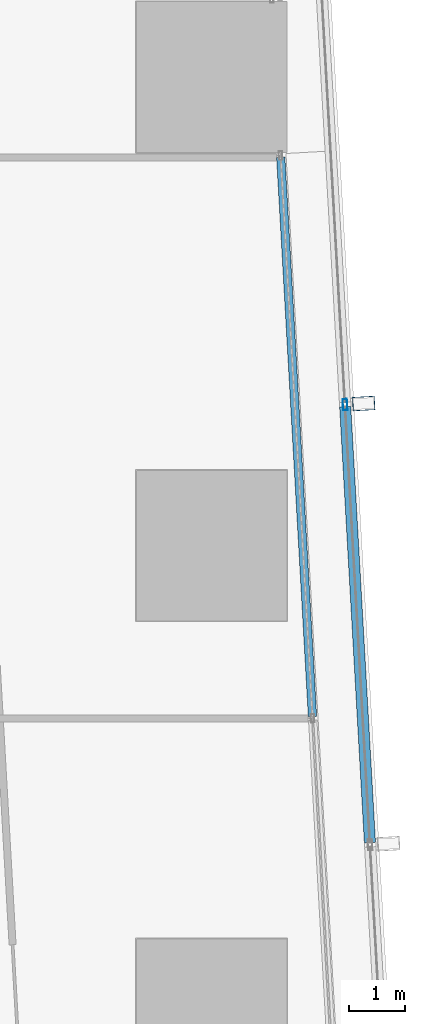
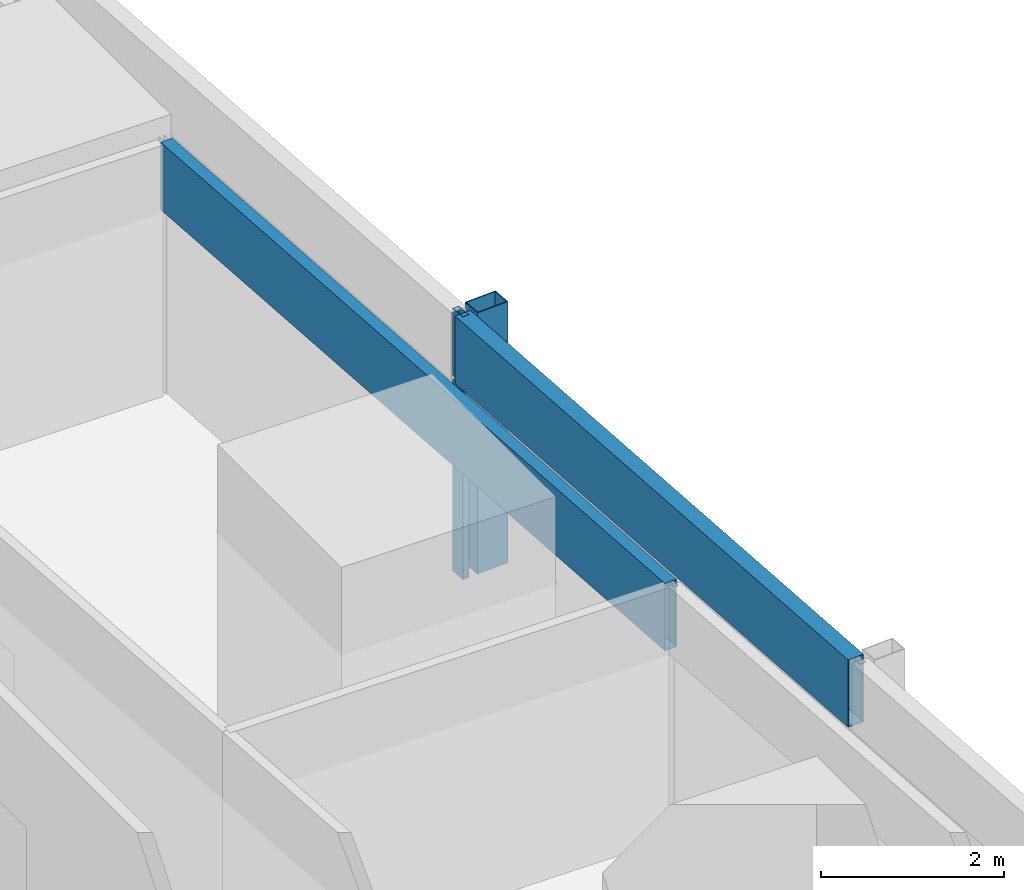
# One storey, part 13 of 36: 4 members, 2 elements without a shape of their own.
"""IFC4 building model written with IfcOpenShell, lengths in metres."""

from ifc_helpers import new_model, si_unit, direction, frame, origin, origin_2d, place, context, subcontext, project, spatial, hollow_rectangle, extrude, material, material_profile, profile_set, type_object, element, aggregate, save


model = new_model("IFC4")

# Units and contexts
model_context = context("Model", 3, precision=1e-05, world=origin(), true_north=direction((0.0, 1.0)))
body_context = subcontext(model_context, "Body", "Model", "MODEL_VIEW")
ifc_project = project(units=[si_unit("LENGTHUNIT", "METRE"), si_unit("AREAUNIT", "SQUARE_METRE"), si_unit("VOLUMEUNIT", "CUBIC_METRE"), si_unit("PLANEANGLEUNIT", "RADIAN"), si_unit("MASSUNIT", "GRAM", prefix="KILO")], contexts=[model_context])

# Site, building, storey
site_placement = place(None, origin())
site = spatial("IfcSite", under=ifc_project, at=site_placement, CompositionType="ELEMENT")
building_placement = place(site_placement, origin())
building = spatial("IfcBuilding", under=site, at=building_placement, Name="Rekha Terrace Tower", CompositionType="ELEMENT")
storey_placement = place(building_placement, frame((0.0, 0.0, 172.699951171875)))
storey = spatial("IfcBuildingStorey", under=building, at=storey_placement, Name="L43", CompositionType="ELEMENT", Elevation=172.699951171875)

# Curtain wall, member
ifc_material_1 = material(Name="Aluminium framing", Category="aluminium")
curtain_wall_type_1 = type_object("IfcCurtainWallType", Name="CW2 double skin outer glazing", PredefinedType="USERDEFINED", material=ifc_material_1)
curtain_wall_1_placement = place(storey_placement, origin())
curtain_wall_1 = element("IfcCurtainWall", 1, at=curtain_wall_1_placement, inside=storey, type_object=curtain_wall_type_1, Name="CW2 double skin outer glazing", ObjectType="DOUBLE SKIN OUTER GLAZING", PredefinedType="USERDEFINED")
ifc_material_2 = material(Name="Steel S355 with fluorocarbon finish", Category="steel")
ifc_material_profile_1 = material_profile(ifc_material_2, hollow_rectangle(XDim=0.25, YDim=0.39990234375, WallThickness=0.012451171875, at=origin_2d()), Name="RHS400x250x12.5")
ifc_profile_set_1 = profile_set([ifc_material_profile_1], Name="Steel S355 with fluorocarbon finish")
member_type_1 = type_object("IfcMemberType", Name="BL1 facade blade RHS 400 x 250", PredefinedType="USERDEFINED", material=ifc_profile_set_1)
member_1_placement = place(storey_placement, frame((61.528076171875, 44.546630859375, 0.02001953125), z_axis=(0.0, 0.0, 1.0), x_axis=(-0.056673619809, 0.998392758797, 0.0)))
member_1 = element("IfcMember", 2, at=member_1_placement, type_object=member_type_1, Name="Facade blade", ObjectType="FACADE BLADE", PredefinedType="USERDEFINED", context=body_context, shape_type="SweptSolid", body=[
    extrude(hollow_rectangle(XDim=0.25, YDim=0.39990234375, WallThickness=0.012451171875, at=origin_2d()), origin(), (0.0, 0.0, 1.0), 3.47998046875),
])

curtain_wall_type_2 = type_object("IfcCurtainWallType", Name="CW1 double skin inner glazing", PredefinedType="USERDEFINED", material=ifc_material_1)
curtain_wall_2_placement = place(storey_placement, origin())
curtain_wall_2 = element("IfcCurtainWall", 3, at=curtain_wall_2_placement, inside=storey, type_object=curtain_wall_type_2, Name="CW1 double skin inner glazing", ObjectType="DOUBLE SKIN INNER GLAZING", PredefinedType="USERDEFINED")
ifc_material_3 = material(Name="Insulated aluminium spandrel box", Category="aluminium")
ifc_material_profile_2 = material_profile(ifc_material_3, hollow_rectangle(XDim=0.14990234375, YDim=0.89990234375, WallThickness=0.0029296875, at=origin_2d()), Name="AL SPANDREL BOX 150x900")
ifc_profile_set_2 = profile_set([ifc_material_profile_2], Name="Insulated aluminium spandrel box")
member_type_2 = type_object("IfcMemberType", Name="CW1 spandrel transom 150 x 900", PredefinedType="USERDEFINED", material=ifc_profile_set_2)
member_2_placement = place(storey_placement, frame((60.609619140625, 38.934814453125, 3.050048828125), z_axis=(-0.056676565461, 0.998392591583, 0.0), x_axis=(-0.998392591583, -0.056676565461, 0.0)))
member_2 = element("IfcMember", 4, at=member_2_placement, type_object=member_type_2, Name="CW1 spandrel transom 2", ObjectType="TRANSOM", PredefinedType="USERDEFINED", context=body_context, shape_type="SweptSolid", body=[
    extrude(hollow_rectangle(XDim=0.14990234375, YDim=0.89990234375, WallThickness=0.0029296875, at=origin_2d()), origin(), (0.0, 0.0, 1.0), 10.041015625),
])
aggregate(curtain_wall_2, [member_2])

# Member
ifc_material_4 = material(Name="Aluminium mullion section", Category="aluminium")
ifc_material_profile_3 = material_profile(ifc_material_4, hollow_rectangle(XDim=0.080078125, YDim=0.199951171875, WallThickness=0.00390625, at=origin_2d()), Name="AL RHS 80x200")
ifc_profile_set_3 = profile_set([ifc_material_profile_3], Name="Aluminium mullion section")
member_type_3 = type_object("IfcMemberType", Name="CW2 mullion RHS 80 x 200", PredefinedType="MULLION", material=ifc_profile_set_3)
member_3_placement = place(storey_placement, frame((61.193603515625, 44.527587890625, 0.0), z_axis=(0.0, 0.0, 1.0), x_axis=(-0.998392782919, -0.05667319486, 0.0)))
member_3 = element("IfcMember", 5, at=member_3_placement, type_object=member_type_3, Name="CW2 mullion 3", PredefinedType="MULLION", context=body_context, shape_type="SweptSolid", body=[
    extrude(hollow_rectangle(XDim=0.080078125, YDim=0.199951171875, WallThickness=0.00390625, at=origin_2d()), origin(), (0.0, 0.0, 1.0), 3.5),
])

ifc_material_profile_4 = material_profile(ifc_material_3, hollow_rectangle(XDim=0.199951171875, YDim=0.89990234375, WallThickness=0.0029296875, at=origin_2d()), Name="AL SPANDREL BOX 200x900")
ifc_profile_set_4 = profile_set([ifc_material_profile_4], Name="Insulated aluminium spandrel box")
member_type_4 = type_object("IfcMemberType", Name="CW2 spandrel transom 200 x 900", PredefinedType="USERDEFINED", material=ifc_profile_set_4)
member_4_placement = place(storey_placement, frame((61.63916015625, 36.6767578125, 3.050048828125), z_axis=(-0.056669428082, 0.998392996731, 0.0), x_axis=(-0.998392996731, -0.056669428082, 0.0)))
member_4 = element("IfcMember", 6, at=member_4_placement, type_object=member_type_4, Name="CW2 spandrel transom 2", ObjectType="TRANSOM", PredefinedType="USERDEFINED", context=body_context, shape_type="SweptSolid", body=[
    extrude(hollow_rectangle(XDim=0.199951171875, YDim=0.89990234375, WallThickness=0.0029296875, at=origin_2d()), origin(), (0.0, 0.0, 1.0), 7.823486328125),
])

aggregate(curtain_wall_1, [member_3, member_4, member_1])

save(model, "model.ifc")
